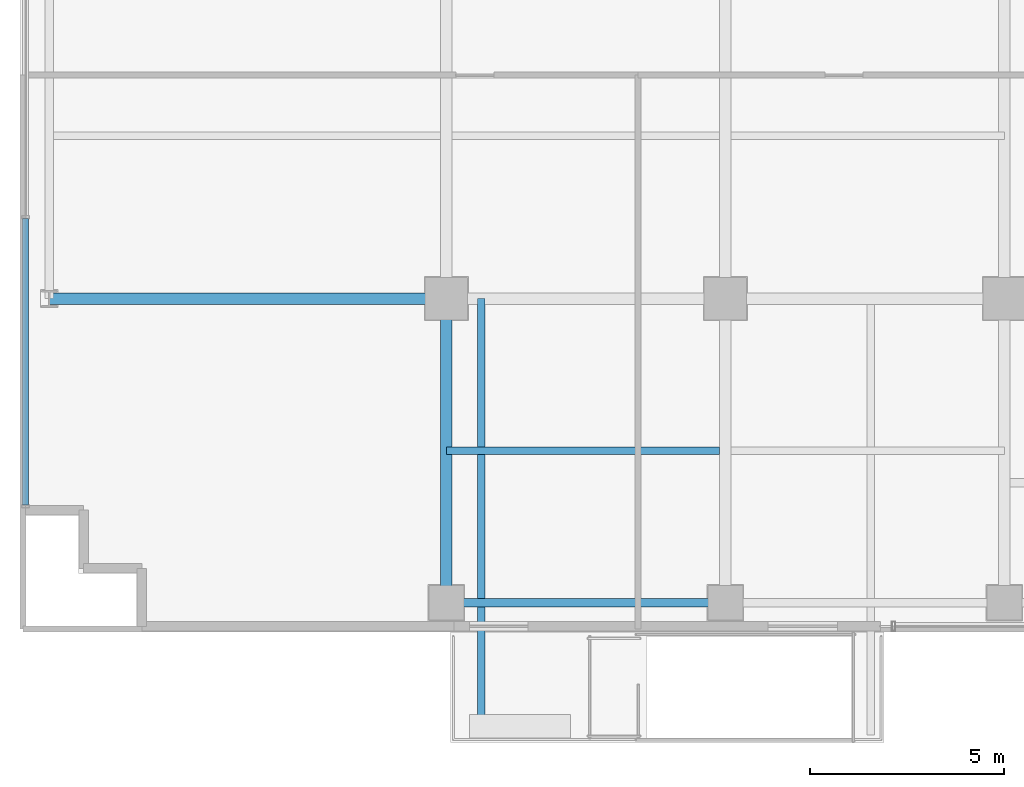
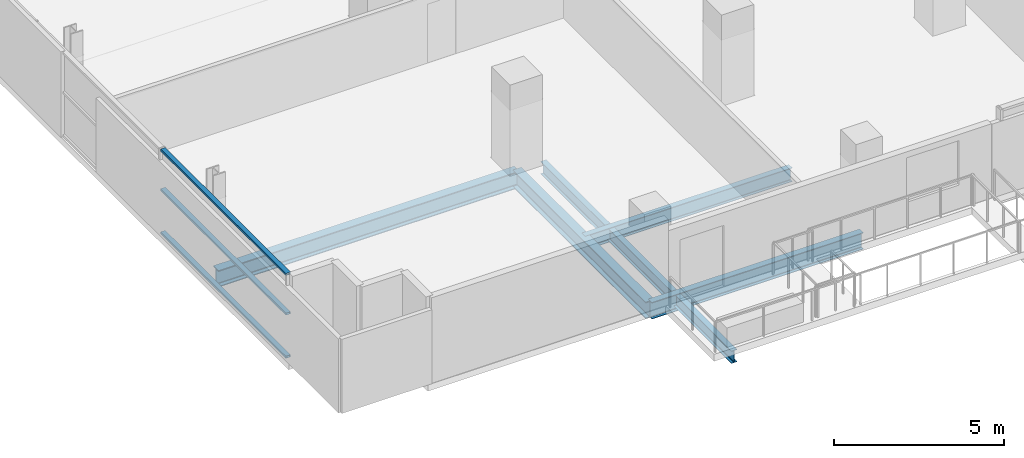
# One storey, part 3 of 30: 5 beams, 3 members, 1 element without a shape of its own.
"""IFC4 building model written with IfcOpenShell, lengths in metres."""

from ifc_helpers import new_model, si_unit, direction, frame, origin, origin_2d, place, context, subcontext, project, spatial, hollow_rectangle, i_section, extrude, source, transform, mapped, material, layer, layer_set, material_profile, profile_set, type_object, element, aggregate, save


model = new_model("IFC4")

# Units and contexts
model_context = context("Model", 3, precision=1e-05, world=origin(), true_north=direction((0.0, 1.0)))
body_context = subcontext(model_context, "Body", "Model", "MODEL_VIEW")
ifc_project = project(units=[si_unit("LENGTHUNIT", "METRE"), si_unit("AREAUNIT", "SQUARE_METRE"), si_unit("VOLUMEUNIT", "CUBIC_METRE"), si_unit("PLANEANGLEUNIT", "RADIAN"), si_unit("MASSUNIT", "GRAM", prefix="KILO")], contexts=[model_context])

# Site, building, storey
site_placement = place(None, origin())
site = spatial("IfcSite", under=ifc_project, at=site_placement, CompositionType="ELEMENT")
building_placement = place(site_placement, origin())
building = spatial("IfcBuilding", under=site, at=building_placement, Name="Zarnakvel Exchange Tower", CompositionType="ELEMENT")
storey_placement = place(building_placement, frame((0.0, 0.0, 30.699951171875)))
storey = spatial("IfcBuildingStorey", under=building, at=storey_placement, Name="L07", CompositionType="ELEMENT", Elevation=30.699951171875)

# Beams
ifc_material_1 = material(Name="Steel S355", Category="steel")
ifc_material_profile_1 = material_profile(ifc_material_1, i_section(OverallWidth=0.199951171875, OverallDepth=0.5, WebThickness=0.01025390625, FlangeThickness=0.01611328125, FilletRadius=0.02099609375, at=origin_2d()))
ifc_profile_set_1 = profile_set([ifc_material_profile_1], Name="Steel S355")
beam_type_1 = type_object("IfcBeamType", Name="B-04", PredefinedType="JOIST", material=ifc_profile_set_1)
beam_1_placement = place(storey_placement, frame((-21.60009765625, -13.52490234375, -0.474853515625), z_axis=(1.0, 0.0, 0.0), x_axis=(0.0, 1.0, 0.0)))
element("IfcBeam", 1, at=beam_1_placement, inside=storey, type_object=beam_type_1, Name="L07 Composite Floor Secondary Joist", PredefinedType="JOIST", context=body_context, shape_type="SweptSolid", body=[
    extrude(i_section(OverallWidth=0.199951171875, OverallDepth=0.5, WebThickness=0.01025390625, FlangeThickness=0.01611328125, FilletRadius=0.02099609375, at=origin_2d()), origin(), (0.0, 0.0, 1.0), 7.050048828125),
])
ifc_material_profile_2 = material_profile(ifc_material_1, i_section(OverallWidth=0.18994140625, OverallDepth=0.449951171875, WebThickness=0.009521484375, FlangeThickness=0.0146484375, FilletRadius=0.02099609375, at=origin_2d()))
ifc_profile_set_2 = profile_set([ifc_material_profile_2], Name="Steel S355")
beam_type_2 = type_object("IfcBeamType", Name="B-05", PredefinedType="JOIST", material=ifc_profile_set_2)
beam_2_placement = place(storey_placement, frame((-20.699951171875, -9.60009765625, -0.474853515625), z_axis=(0.0, -1.0, 0.0), x_axis=(1.0, 0.0, 0.0)))
element("IfcBeam", 2, at=beam_2_placement, inside=storey, type_object=beam_type_2, Name="L07 Continuous Spiral Terrace Beam W", PredefinedType="JOIST", context=body_context, shape_type="SweptSolid", body=[
    extrude(i_section(OverallWidth=0.18994140625, OverallDepth=0.449951171875, WebThickness=0.009521484375, FlangeThickness=0.0146484375, FilletRadius=0.02099609375, at=origin_2d()), origin(), (0.0, 0.0, 1.0), 11.260009765625),
])
ifc_material_profile_3 = material_profile(ifc_material_1, i_section(OverallWidth=0.300048828125, OverallDepth=0.60009765625, WebThickness=0.015380859375, FlangeThickness=0.030029296875, FilletRadius=0.027099609375, at=origin_2d()))
ifc_profile_set_3 = profile_set([ifc_material_profile_3], Name="Steel S355")
beam_type_3 = type_object("IfcBeamType", Name="G-04", PredefinedType="BEAM", material=ifc_profile_set_3)
beam_3_placement = place(storey_placement, frame((-31.85009765625, -9.60009765625, -0.52490234375), z_axis=(1.0, 0.0, 0.0), x_axis=(0.0, 1.0, 0.0)))
element("IfcBeam", 3, at=beam_3_placement, inside=storey, type_object=beam_type_3, Name="L07 Tower E-W Frame Beam", PredefinedType="BEAM", context=body_context, shape_type="SweptSolid", body=[
    extrude(i_section(OverallWidth=0.300048828125, OverallDepth=0.60009765625, WebThickness=0.015380859375, FlangeThickness=0.030029296875, FilletRadius=0.027099609375, at=origin_2d()), origin(), (0.0, 0.0, 1.0), 10.25),
])
beam_4_placement = place(storey_placement, frame((-21.60009765625, -17.449951171875, -0.52490234375), z_axis=(0.0, 1.0, 0.0), x_axis=(-1.0, 0.0, 0.0)))
element("IfcBeam", 4, at=beam_4_placement, inside=storey, type_object=beam_type_3, Name="L07 Tower N-S Frame Beam", PredefinedType="BEAM", context=body_context, shape_type="SweptSolid", body=[
    extrude(i_section(OverallWidth=0.300048828125, OverallDepth=0.60009765625, WebThickness=0.015380859375, FlangeThickness=0.030029296875, FilletRadius=0.027099609375, at=origin_2d()), origin(), (0.0, 0.0, 1.0), 7.849853515625),
])
ifc_material_profile_4 = material_profile(ifc_material_1, i_section(OverallWidth=0.219970703125, OverallDepth=0.60009765625, WebThickness=0.011962890625, FlangeThickness=0.01904296875, FilletRadius=0.02392578125, at=origin_2d()))
ifc_profile_set_4 = profile_set([ifc_material_profile_4], Name="Steel S355")
beam_type_4 = type_object("IfcBeamType", Name="SP-01", PredefinedType="SPANDREL", material=ifc_profile_set_4)
beam_5_placement = place(storey_placement, frame((-21.60009765625, -17.449951171875, -0.52490234375), z_axis=(1.0, 0.0, 0.0), x_axis=(0.0, 1.0, 0.0)))
element("IfcBeam", 5, at=beam_5_placement, inside=storey, type_object=beam_type_4, Name="L07 Tower E-W Frame Beam", PredefinedType="SPANDREL", context=body_context, shape_type="SweptSolid", body=[
    extrude(i_section(OverallWidth=0.219970703125, OverallDepth=0.60009765625, WebThickness=0.011962890625, FlangeThickness=0.01904296875, FilletRadius=0.02392578125, at=origin_2d()), origin(), (0.0, 0.0, 1.0), 7.2001953125),
])

# Curtain wall, members
ifc_material_2 = material(Name="Architectural Bronze Anodised Aluminium", Category="aluminium")
ifc_layer = layer(ifc_material_2, 0.199951171875)
ifc_layer_set = layer_set([ifc_layer], Name="Architectural Bronze Anodised Aluminium")
curtain_wall_type = type_object("IfcCurtainWallType", Name="CW-04", PredefinedType="NOTDEFINED", material=ifc_layer_set)
curtain_wall_placement = place(storey_placement, origin())
curtain_wall = element("IfcCurtainWall", 6, at=curtain_wall_placement, inside=storey, type_object=curtain_wall_type, Name="L07 Curtain Wall CW-L07-W1 (CW-04)", PredefinedType="NOTDEFINED")
ifc_material_profile_5 = material_profile(ifc_material_2, hollow_rectangle(XDim=0.159912109375, YDim=0.074951171875, WallThickness=0.00390625, at=origin_2d()))
ifc_profile_set_5 = profile_set([ifc_material_profile_5], Name="Architectural Bronze Anodised Aluminium")
member_type = type_object("IfcMemberType", Name="CWT-04", PredefinedType="USERDEFINED", material=ifc_profile_set_5)
shared_shape = source(origin(), body_context, "Body", "SweptSolid", [
    extrude(hollow_rectangle(XDim=0.159912109375, YDim=0.074951171875, WallThickness=0.00390625, at=origin_2d()), origin(), (0.0, 0.0, 1.0), 7.387451171875),
])
member_1_placement = place(storey_placement, frame((-32.4599609375, -14.925048828125, 0.03759765625), z_axis=(0.0, 1.0, 0.0), x_axis=(-1.0, 0.0, 0.0)))
member_1 = element("IfcMember", 7, at=member_1_placement, type_object=member_type, Name="CW-04 transom 1.1", ObjectType="TRANSOM", PredefinedType="USERDEFINED", context=body_context, shape_type="MappedRepresentation", body=[
    mapped(shared_shape, transform((0.0, 0.0, 0.0), x_axis=(1.0, 0.0, 0.0), y_axis=(0.0, 1.0, 0.0), z_axis=(0.0, 0.0, 1.0), scale=1.0)),
])
member_2_placement = place(storey_placement, frame((-32.4599609375, -14.925048828125, 1.588623046875), z_axis=(0.0, 1.0, 0.0), x_axis=(-1.0, 0.0, 0.0)))
member_2 = element("IfcMember", 8, at=member_2_placement, type_object=member_type, Name="CW-04 transom 1.2", ObjectType="TRANSOM", PredefinedType="USERDEFINED", context=body_context, shape_type="MappedRepresentation", body=[
    mapped(shared_shape, transform((0.0, 0.0, 0.0), x_axis=(1.0, 0.0, 0.0), y_axis=(0.0, 1.0, 0.0), z_axis=(0.0, 0.0, 1.0), scale=1.0)),
])
member_3_placement = place(storey_placement, frame((-32.4599609375, -14.925048828125, 3.017578125), z_axis=(0.0, 1.0, 0.0), x_axis=(-1.0, 0.0, 0.0)))
member_3 = element("IfcMember", 9, at=member_3_placement, type_object=member_type, Name="CW-04 transom 1.3", ObjectType="TRANSOM", PredefinedType="USERDEFINED", context=body_context, shape_type="MappedRepresentation", body=[
    mapped(shared_shape, transform((0.0, 0.0, 0.0), x_axis=(1.0, 0.0, 0.0), y_axis=(0.0, 1.0, 0.0), z_axis=(0.0, 0.0, 1.0), scale=1.0)),
])
aggregate(curtain_wall, [member_1, member_2, member_3])

save(model, "model.ifc")
